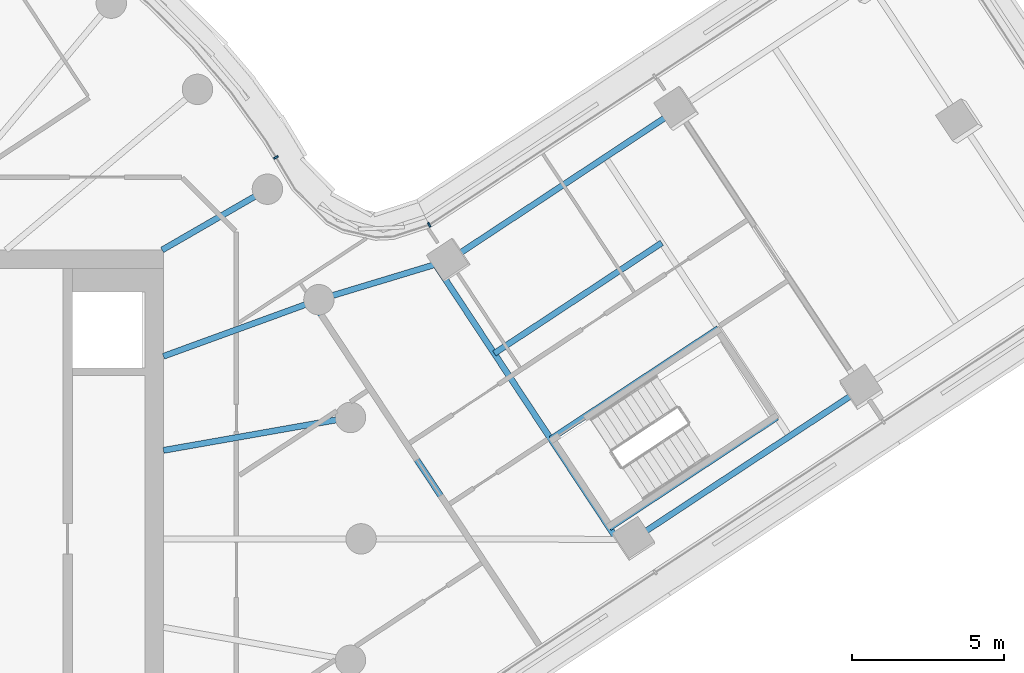
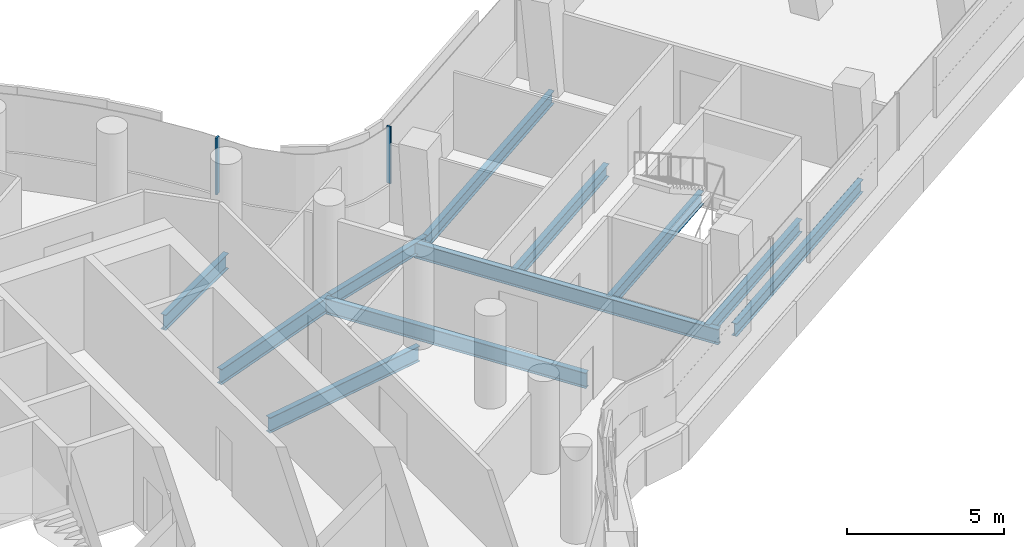
# One storey, part 13 of 35: 11 beams, 2 members, 1 element without a shape of its own.
"""IFC4 building model written with IfcOpenShell, lengths in metres."""

from ifc_helpers import new_model, si_unit, direction, frame, origin, origin_2d, place, context, subcontext, project, spatial, rectangle, i_section, extrude, material, layer, layer_set, material_profile, profile_set, type_object, element, aggregate, save


model = new_model("IFC4")

# Units and contexts
model_context = context("Model", 3, precision=1e-05, world=origin(), true_north=direction((0.0, 1.0)))
body_context = subcontext(model_context, "Body", "Model", "MODEL_VIEW")
ifc_project = project(units=[si_unit("LENGTHUNIT", "METRE"), si_unit("AREAUNIT", "SQUARE_METRE"), si_unit("VOLUMEUNIT", "CUBIC_METRE"), si_unit("PLANEANGLEUNIT", "RADIAN"), si_unit("MASSUNIT", "GRAM", prefix="KILO")], contexts=[model_context])

# Site, building, storey
site_placement = place(None, origin())
site = spatial("IfcSite", under=ifc_project, at=site_placement, CompositionType="ELEMENT")
building_placement = place(site_placement, origin())
building = spatial("IfcBuilding", under=site, at=building_placement, Name="Tamarind Cross Interchange Tower", CompositionType="ELEMENT")
storey_placement = place(building_placement, frame((0.0, 0.0, 155.5)))
storey = spatial("IfcBuildingStorey", under=building, at=storey_placement, Name="L38", CompositionType="ELEMENT", Elevation=155.5)

# Beams
ifc_material_1 = material(Name="Steel Q355B", Category="steel")
ifc_material_profile_1 = material_profile(ifc_material_1, i_section(OverallWidth=0.198974609375, OverallDepth=0.49609375, WebThickness=0.009033203125, FlangeThickness=0.013916015625, FilletRadius=0.012939453125, at=origin_2d()), Name="HN 496x199x9x14")
ifc_profile_set_1 = profile_set([ifc_material_profile_1], Name="Steel Q355B")
beam_type_1 = type_object("IfcBeamType", Name="Composite beam HN 496x199x9x14 Q355B", PredefinedType="BEAM", material=ifc_profile_set_1)
for number, where, z_axis, x_axis, name in (
    (1, (39.467529296875, 4.94189453125, -0.387939453125), (-0.8345250917, -0.550969936859, 0.0), (0.550969936859, -0.8345250917, 0.0), "Beam E-edgeem6"),
    (2, (33.406982421875, 14.12158203125, -0.387939453125), (-0.8345250917, -0.550969936859, 0.0), (0.550969936859, -0.8345250917, 0.0), "Beam E-edgeep3"),
):
    element("IfcBeam", number, at=place(storey_placement, frame(where, z_axis=z_axis, x_axis=x_axis)), inside=storey, type_object=beam_type_1, Name=name, PredefinedType="BEAM", context=body_context, shape_type="SweptSolid", body=[
        extrude(i_section(OverallWidth=0.198974609375, OverallDepth=0.49609375, WebThickness=0.009033203125, FlangeThickness=0.013916015625, FilletRadius=0.012939453125, at=origin_2d()), origin(), (0.0, 0.0, 1.0), 9.0),
    ])
beam_1_placement = place(storey_placement, frame((25.896240234375, 9.162841796875, -0.387939453125), z_axis=(-0.957120706894, -0.28968940684, 0.0), x_axis=(0.28968940684, -0.957120706894, 0.0)))
element("IfcBeam", 3, at=beam_1_placement, inside=storey, type_object=beam_type_1, Name="Beam E-linkep", PredefinedType="BEAM", context=body_context, shape_type="SweptSolid", body=[
    extrude(i_section(OverallWidth=0.198974609375, OverallDepth=0.49609375, WebThickness=0.009033203125, FlangeThickness=0.013916015625, FilletRadius=0.012939453125, at=origin_2d()), origin(), (0.0, 0.0, 1.0), 4.47509765625),
])
for number, where, z_axis, x_axis, name in (
    (4, (31.168212890625, 0.361083984375, -0.387939453125), (0.83451756157, 0.55098134218, 0.0), (-0.55098134218, 0.83451756157, 0.0), "Beam E-tr0"),
    (5, (29.23974609375, 3.281982421875, -0.387939453125), (0.83451756157, 0.55098134218, 0.0), (-0.55098134218, 0.83451756157, 0.0), "Beam E-tr1"),
    (6, (27.380126953125, 6.098388671875, -0.387939453125), (0.834528790802, 0.550964333984, 0.0), (-0.550964333984, 0.834528790802, 0.0), "Beam E-stripp"),
):
    element("IfcBeam", number, at=place(storey_placement, frame(where, z_axis=z_axis, x_axis=x_axis)), inside=storey, type_object=beam_type_1, Name=name, PredefinedType="BEAM", context=body_context, shape_type="SweptSolid", body=[
        extrude(i_section(OverallWidth=0.198974609375, OverallDepth=0.49609375, WebThickness=0.009033203125, FlangeThickness=0.013916015625, FilletRadius=0.012939453125, at=origin_2d()), origin(), (0.0, 0.0, 1.0), 6.60009765625),
    ])
ifc_material_profile_2 = material_profile(ifc_material_1, i_section(OverallWidth=0.198974609375, OverallDepth=0.595947265625, WebThickness=0.010009765625, FlangeThickness=0.014892578125, FilletRadius=0.012939453125, at=origin_2d()), Name="HN 596x199x10x15")
ifc_profile_set_2 = profile_set([ifc_material_profile_2], Name="Steel Q355B")
beam_type_2 = type_object("IfcBeamType", Name="Composite beam HN 596x199x10x15 Q355B", PredefinedType="BEAM", material=ifc_profile_set_2)
beam_2_placement = place(storey_placement, frame((22.650634765625, 3.993896484375, -0.43798828125), z_axis=(-0.984809127561, -0.173640382036, 0.0), x_axis=(0.173640382036, -0.984809127561, 0.0)))
element("IfcBeam", 7, at=beam_2_placement, inside=storey, type_object=beam_type_2, Name="Beam HH01", PredefinedType="BEAM", context=body_context, shape_type="SweptSolid", body=[
    extrude(i_section(OverallWidth=0.198974609375, OverallDepth=0.595947265625, WebThickness=0.010009765625, FlangeThickness=0.014892578125, FilletRadius=0.012939453125, at=origin_2d()), origin(), (0.0, 0.0, 1.0), 6.24560546875),
])
beam_3_placement = place(storey_placement, frame((21.613037109375, 7.866455078125, -0.43798828125), z_axis=(-0.939701685589, -0.341995236956, 0.0), x_axis=(0.341995236956, -0.939701685589, 0.0)))
element("IfcBeam", 8, at=beam_3_placement, inside=storey, type_object=beam_type_2, Name="Beam HH02", PredefinedType="BEAM", context=body_context, shape_type="SweptSolid", body=[
    extrude(i_section(OverallWidth=0.198974609375, OverallDepth=0.595947265625, WebThickness=0.010009765625, FlangeThickness=0.014892578125, FilletRadius=0.012939453125, at=origin_2d()), origin(), (0.0, 0.0, 1.0), 5.441162109375),
])
beam_4_placement = place(storey_placement, frame((19.918701171875, 11.5, -0.43798828125), z_axis=(-0.866026010844, -0.49999894854, 0.0), x_axis=(0.49999894854, -0.866026010844, 0.0)))
element("IfcBeam", 9, at=beam_4_placement, inside=storey, type_object=beam_type_2, Name="Beam HH03", PredefinedType="BEAM", context=body_context, shape_type="SweptSolid", body=[
    extrude(i_section(OverallWidth=0.198974609375, OverallDepth=0.595947265625, WebThickness=0.010009765625, FlangeThickness=0.014892578125, FilletRadius=0.012939453125, at=origin_2d()), origin(), (0.0, 0.0, 1.0), 4.0),
])
ifc_material_profile_3 = material_profile(ifc_material_1, i_section(OverallWidth=0.199951171875, OverallDepth=0.60009765625, WebThickness=0.010986328125, FlangeThickness=0.01708984375, FilletRadius=0.012939453125, at=origin_2d()), Name="HN 600x200x11x17")
ifc_profile_set_3 = profile_set([ifc_material_profile_3], Name="Steel Q355B")
beam_type_3 = type_object("IfcBeamType", Name="Composite beam HN 600x200x11x17 Q355B", PredefinedType="BEAM", material=ifc_profile_set_3)
beam_5_placement = place(storey_placement, frame((31.4169921875, -0.015869140625, -0.43994140625), z_axis=(-0.550971837826, 0.834523836641, 0.0), x_axis=(-0.834523836641, -0.550971837826, 0.0)))
element("IfcBeam", 10, at=beam_5_placement, inside=storey, type_object=beam_type_3, Name="Beam E-x298", PredefinedType="BEAM", context=body_context, shape_type="SweptSolid", body=[
    extrude(i_section(OverallWidth=0.199951171875, OverallDepth=0.60009765625, WebThickness=0.010986328125, FlangeThickness=0.01708984375, FilletRadius=0.012939453125, at=origin_2d()), origin(), (0.0, 0.0, 1.0), 10.835693359375),
])
beam_6_placement = place(storey_placement, frame((26.557861328125, -0.006591796875, -0.43994140625), z_axis=(-0.550972840412, 0.83452317471, 0.0), x_axis=(-0.83452317471, -0.550972840412, 0.0)))
element("IfcBeam", 11, at=beam_6_placement, inside=storey, type_object=beam_type_3, Name="Beam E-x258", PredefinedType="BEAM", context=body_context, shape_type="SweptSolid", body=[
    extrude(i_section(OverallWidth=0.199951171875, OverallDepth=0.60009765625, WebThickness=0.010986328125, FlangeThickness=0.01708984375, FilletRadius=0.012939453125, at=origin_2d()), origin(), (0.0, 0.0, 1.0), 9.294677734375),
])

# Curtain wall, members
ifc_material_2 = material(Name="Aluminium 6063-T6", Category="aluminium")
ifc_layer = layer(ifc_material_2, 0.159912109375)
ifc_layer_set = layer_set([ifc_layer], Name="Aluminium 6063-T6")
curtain_wall_type = type_object("IfcCurtainWallType", Name="Office curtain wall, 9.0 m bays", PredefinedType="NOTDEFINED", material=ifc_layer_set)
curtain_wall_placement = place(storey_placement, origin())
curtain_wall = element("IfcCurtainWall", 12, at=curtain_wall_placement, inside=storey, type_object=curtain_wall_type, Name="CWS-L38-14", PredefinedType="NOTDEFINED")
ifc_material_profile_4 = material_profile(ifc_material_2, rectangle(XDim=0.06005859375, YDim=0.159912109375, at=origin_2d()), Name="Mullion CW1")
ifc_profile_set_4 = profile_set([ifc_material_profile_4], Name="Aluminium 6063-T6")
member_type = type_object("IfcMemberType", Name="Mullion CW1", PredefinedType="MULLION", material=ifc_profile_set_4)
member_1_placement = place(storey_placement, frame((25.238037109375, 10.329345703125, 1.39990234375), z_axis=(0.0, 0.0, 1.0), x_axis=(-0.901423638336, -0.432938129817, 0.0)))
member_1 = element("IfcMember", 13, at=member_1_placement, type_object=member_type, Name="CWM-L38-14-00", PredefinedType="MULLION", context=body_context, shape_type="SweptSolid", body=[
    extrude(rectangle(XDim=0.06005859375, YDim=0.159912109375, at=origin_2d()), origin(), (0.0, 0.0, 1.0), 2.210205078125),
])
member_2_placement = place(storey_placement, frame((20.19873046875, 12.546142578125, 1.39990234375), z_axis=(0.0, 0.0, 1.0), x_axis=(-0.5158697456, 0.856667033085, 0.0)))
member_2 = element("IfcMember", 14, at=member_2_placement, type_object=member_type, Name="CWM-L38-14-01", PredefinedType="MULLION", context=body_context, shape_type="SweptSolid", body=[
    extrude(rectangle(XDim=0.06005859375, YDim=0.159912109375, at=origin_2d()), origin(), (0.0, 0.0, 1.0), 2.210205078125),
])
aggregate(curtain_wall, [member_1, member_2])

save(model, "model.ifc")
